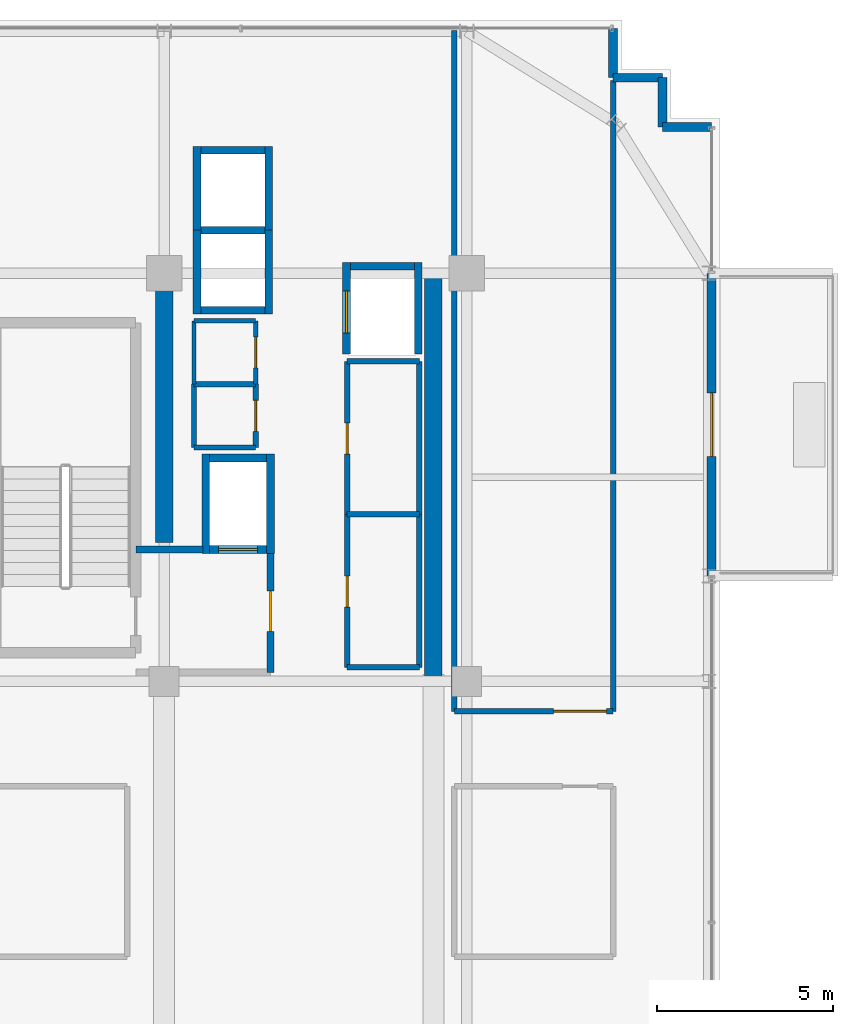
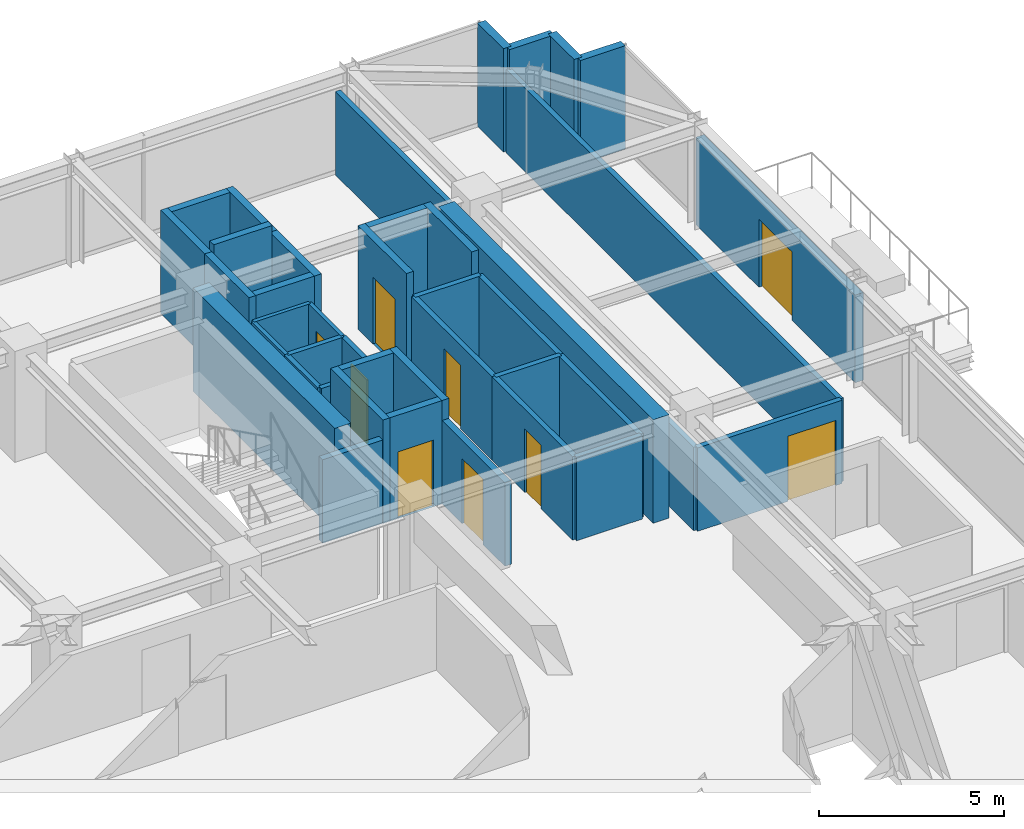
# One storey, part 32 of 36: 40 walls, 9 doors, 9 openings.
"""IFC4 building model written with IfcOpenShell, lengths in metres."""

from ifc_helpers import new_model, si_unit, direction, frame, frame_2d, origin, place, context, subcontext, project, spatial, rectangle, extrude, source, transform, mapped, material, layer, layer_set, type_object, element, fill, save


model = new_model("IFC4")

# Units and contexts
model_context = context("Model", 3, precision=1e-05, world=origin(), true_north=direction((0.0, 1.0)))
body_context = subcontext(model_context, "Body", "Model", "MODEL_VIEW")
ifc_project = project(units=[si_unit("LENGTHUNIT", "METRE"), si_unit("AREAUNIT", "SQUARE_METRE"), si_unit("VOLUMEUNIT", "CUBIC_METRE"), si_unit("PLANEANGLEUNIT", "RADIAN"), si_unit("MASSUNIT", "GRAM", prefix="KILO")], contexts=[model_context])

# Site, building, storey
site_placement = place(None, origin())
site = spatial("IfcSite", under=ifc_project, at=site_placement, CompositionType="ELEMENT")
building_placement = place(site_placement, origin())
building = spatial("IfcBuilding", under=site, at=building_placement, Name="Nahalor Promenade Grand Hotel", CompositionType="ELEMENT")
storey_placement = place(building_placement, frame((0.0, 0.0, 253.0)))
storey = spatial("IfcBuildingStorey", under=building, at=storey_placement, Name="L65", CompositionType="ELEMENT", Elevation=253.0)

# Walls
ifc_material_1 = material(Name="Concrete B-60 (C50/60)", Category="concrete")
ifc_layer_1 = layer(ifc_material_1, 0.5)
ifc_layer_set_1 = layer_set([ifc_layer_1], Name="Concrete B-60 (C50/60)")
wall_type_1 = type_object("IfcWallType", Name="Wall-CoreShear-500", PredefinedType="SHEAR", material=ifc_layer_set_1)
shared_shape_1 = source(origin(), body_context, "Body", "SweptSolid", [
    extrude(rectangle(XDim=7.64990234375, YDim=0.5, at=frame_2d((3.824951171875, 0.0))), origin(), (0.0, 0.0, 1.0), 3.409912109375),
])
wall_1_placement = place(storey_placement, frame((8.39990234375, 9.35009765625, 0.0), z_axis=(0.0, 0.0, 1.0), x_axis=(0.0, 1.0, 0.0)))
element("IfcWall", 1, at=wall_1_placement, inside=storey, type_object=wall_type_1, Name="CWALL-L65-NW", PredefinedType="SHEAR", context=body_context, shape_type="MappedRepresentation", body=[
    mapped(shared_shape_1, transform((0.0, 0.0, 0.0), scale=1.0)),
])
shared_shape_2 = source(origin(), body_context, "Body", "SweptSolid", [
    extrude(rectangle(XDim=11.60009765625, YDim=0.5, at=frame_2d((5.800048828125, 0.0))), origin(), (0.0, 0.0, 1.0), 3.409912109375),
])
wall_2_placement = place(storey_placement, frame((16.050048828125, 5.39990234375, 0.0), z_axis=(0.0, 0.0, 1.0), x_axis=(0.0, 1.0, 0.0)))
element("IfcWall", 2, at=wall_2_placement, inside=storey, type_object=wall_type_1, Name="CWALL-L65-NE", PredefinedType="SHEAR", context=body_context, shape_type="MappedRepresentation", body=[
    mapped(shared_shape_2, transform((0.0, 0.0, 0.0), scale=1.0)),
])
ifc_material_2 = material(Name="Concrete B-50 (C40/50)", Category="concrete")
ifc_layer_2 = layer(ifc_material_2, 0.219970703125)
ifc_layer_set_2 = layer_set([ifc_layer_2], Name="Concrete B-50 (C40/50)")
wall_type_2 = type_object("IfcWallType", Name="Wall-LiftShaft-220", PredefinedType="SHEAR", material=ifc_layer_set_2)
shared_shape_3 = source(origin(), body_context, "Body", "SweptSolid", [
    extrude(rectangle(XDim=1.820068359375, YDim=0.219970703125, at=frame_2d((0.91015625, 0.0))), origin(), (0.0, 0.0, 1.0), 3.409912109375),
])
for number, where, z_axis, x_axis, name in (
    (3, (9.43994140625, 15.949951171875, 0.0), (0.0, 0.0, 1.0), (1.0, 0.0, 0.0), "L65 Lift OB1 Hoistway Wall S"),
    (4, (9.43994140625, 20.5, 0.0), (0.0, 0.0, 1.0), (1.0, 0.0, 0.0), "L65 Lift OB2 Hoistway Wall N"),
    (5, (13.68994140625, 17.199951171875, 0.0), (0.0, 0.0, 1.0), (1.0, 0.0, 0.0), "L65 Lift SV1 Hoistway Wall N"),
):
    element("IfcWall", number, at=place(storey_placement, frame(where, z_axis=z_axis, x_axis=x_axis)), inside=storey, type_object=wall_type_2, Name=name, PredefinedType="SHEAR", context=body_context, shape_type="MappedRepresentation", body=[
        mapped(shared_shape_3, transform((0.0, 0.0, 0.0), scale=1.0)),
    ])
shared_shape_4 = source(origin(), body_context, "Body", "SweptSolid", [
    extrude(rectangle(XDim=1.820068359375, YDim=0.219970703125, at=frame_2d((0.91015625, 0.0))), origin(), (0.0, 0.0, 1.0), 3.699951171875),
])
wall_3_placement = place(storey_placement, frame((9.43994140625, 18.22509765625, 0.0), z_axis=(0.0, 0.0, 1.0), x_axis=(1.0, 0.0, 0.0)))
element("IfcWall", 6, at=wall_3_placement, inside=storey, type_object=wall_type_2, Name="L65 Lift OB1 Hoistway Wall N", PredefinedType="SHEAR", context=body_context, shape_type="MappedRepresentation", body=[
    mapped(shared_shape_4, transform((0.0, 0.0, 0.0), scale=1.0)),
])
shared_shape_5 = source(origin(), body_context, "Body", "SweptSolid", [
    extrude(rectangle(XDim=2.385009765625, YDim=0.219970703125, at=frame_2d((1.1923828125, 0.0))), origin(), (0.0, 0.0, 1.0), 3.409912109375),
])
for number, where, z_axis, x_axis, name in (
    (7, (9.330078125, 15.840087890625, 0.0), (0.0, 0.0, 1.0), (0.0, 1.0, 0.0), "L65 Lift OB1 Hoistway Wall W"),
    (8, (11.3701171875, 15.840087890625, 0.0), (0.0, 0.0, 1.0), (0.0, 1.0, 0.0), "L65 Lift OB1 Hoistway Wall E"),
    (9, (9.330078125, 18.22509765625, 0.0), (0.0, 0.0, 1.0), (0.0, 1.0, 0.0), "L65 Lift OB2 Hoistway Wall W"),
    (10, (11.3701171875, 18.22509765625, 0.0), (0.0, 0.0, 1.0), (0.0, 1.0, 0.0), "L65 Lift OB2 Hoistway Wall E"),
):
    element("IfcWall", number, at=place(storey_placement, frame(where, z_axis=z_axis, x_axis=x_axis)), inside=storey, type_object=wall_type_2, Name=name, PredefinedType="SHEAR", context=body_context, shape_type="MappedRepresentation", body=[
        mapped(shared_shape_5, transform((0.0, 0.0, 0.0), scale=1.0)),
    ])
shared_shape_6 = source(origin(), body_context, "Body", "SweptSolid", [
    extrude(rectangle(XDim=2.820068359375, YDim=0.219970703125, at=frame_2d((1.41015625, 0.0))), origin(), (0.0, 0.0, 1.0), 3.409912109375),
])
for number, where, z_axis, x_axis, name in (
    (11, (9.580078125, 9.0400390625, 0.0), (0.0, 0.0, 1.0), (0.0, 1.0, 0.0), "L65 Lift FL1 Hoistway Wall W"),
    (12, (11.419921875, 9.0400390625, 0.0), (0.0, 0.0, 1.0), (0.0, 1.0, 0.0), "L65 Lift FL1 Hoistway Wall E"),
):
    element("IfcWall", number, at=place(storey_placement, frame(where, z_axis=z_axis, x_axis=x_axis)), inside=storey, type_object=wall_type_2, Name=name, PredefinedType="SHEAR", context=body_context, shape_type="MappedRepresentation", body=[
        mapped(shared_shape_6, transform((0.0, 0.0, 0.0), scale=1.0)),
    ])

# Wall, opening, door
shared_shape_7 = source(origin(), body_context, "Body", "SweptSolid", [
    extrude(rectangle(XDim=1.6201171875, YDim=0.219970703125, at=frame_2d((0.81005859375, 0.0))), origin(), (0.0, 0.0, 1.0), 3.409912109375),
])
wall_4_placement = place(storey_placement, frame((9.68994140625, 9.14990234375, 0.0), z_axis=(0.0, 0.0, 1.0), x_axis=(1.0, 0.0, 0.0)))
wall_4 = element("IfcWall", 13, at=wall_4_placement, inside=storey, type_object=wall_type_2, Name="L65 Lift FL1 Hoistway Wall S", PredefinedType="SHEAR", context=body_context, shape_type="MappedRepresentation", body=[
    mapped(shared_shape_7, transform((0.0, 0.0, 0.0), scale=1.0)),
])
opening_1_placement = place(wall_4_placement, frame((0.260009765625, 0.0, 0.0)))
opening_1 = element("IfcOpeningElement", 14, at=opening_1_placement, cuts=wall_4, Name="Opening LD-02", PredefinedType="OPENING", context=body_context, shape_type="SweptSolid", body=[
    extrude(rectangle(XDim=1.10009765625, YDim=2.199951171875, at=frame_2d((0.550048828125, 1.10009765625))), frame((0.0, 0.119873046875, 0.0), z_axis=(0.0, -1.0, 0.0), x_axis=(1.0, 0.0, 0.0)), (0.0, 0.0, 1.0), 0.239990234375),
])
ifc_material_3 = material(Name="Steel S355JR", Category="steel")
door_type_1 = type_object("IfcDoorType", Name="Door-LiftFF-1100", OperationType="DOUBLE_DOOR_SLIDING", PredefinedType="DOOR", material=ifc_material_3)
shared_shape_8 = source(origin(), body_context, "Body", "SweptSolid", [
    extrude(rectangle(XDim=1.10009765625, YDim=2.199951171875, at=frame_2d((0.550048828125, 1.10009765625))), frame((0.0, 0.02490234375, 0.0), z_axis=(0.0, -1.0, 0.0), x_axis=(1.0, 0.0, 0.0)), (0.0, 0.0, 1.0), 0.050048828125),
])
door_1_placement = place(opening_1_placement, frame((1.10009765625, 0.0, 0.0), z_axis=(0.0, 0.0, 1.0), x_axis=(-1.0, 0.0, 0.0)))
door_1 = element("IfcDoor", 15, at=door_1_placement, inside=storey, type_object=door_type_1, Name="DR-LIFT-FL1-L65", OperationType="DOUBLE_DOOR_SLIDING", OverallHeight=2.199951171875, OverallWidth=1.10009765625, PredefinedType="DOOR", context=body_context, shape_type="MappedRepresentation", body=[
    mapped(shared_shape_8, transform((0.0, 0.0, 0.0), scale=1.0)),
])
fill(opening_1, door_1)

# Wall
wall_5_placement = place(storey_placement, frame((9.68994140625, 11.75, 0.0), z_axis=(0.0, 0.0, 1.0), x_axis=(1.0, 0.0, 0.0)))
element("IfcWall", 16, at=wall_5_placement, inside=storey, type_object=wall_type_2, Name="L65 Lift FL1 Hoistway Wall N", PredefinedType="SHEAR", context=body_context, shape_type="MappedRepresentation", body=[
    mapped(shared_shape_7, transform((0.0, 0.0, 0.0), scale=1.0)),
])

# Wall, opening, door
shared_shape_9 = source(origin(), body_context, "Body", "SweptSolid", [
    extrude(rectangle(XDim=2.610107421875, YDim=0.219970703125, at=frame_2d((1.30517578125, 0.0))), origin(), (0.0, 0.0, 1.0), 3.409912109375),
])
wall_6_placement = place(storey_placement, frame((13.580078125, 14.699951171875, 0.0), z_axis=(0.0, 0.0, 1.0), x_axis=(0.0, 1.0, 0.0)))
wall_6 = element("IfcWall", 17, at=wall_6_placement, inside=storey, type_object=wall_type_2, Name="L65 Lift SV1 Hoistway Wall W", PredefinedType="SHEAR", context=body_context, shape_type="MappedRepresentation", body=[
    mapped(shared_shape_9, transform((0.0, 0.0, 0.0), scale=1.0)),
])
opening_2_placement = place(wall_6_placement, frame((0.60009765625, 0.0, 0.0)))
opening_2 = element("IfcOpeningElement", 18, at=opening_2_placement, cuts=wall_6, Name="Opening LD-03", PredefinedType="OPENING", context=body_context, shape_type="SweptSolid", body=[
    extrude(rectangle(XDim=1.199951171875, YDim=2.199951171875, at=frame_2d((0.60009765625, 1.10009765625))), frame((0.0, 0.119873046875, 0.0), z_axis=(0.0, -1.0, 0.0), x_axis=(1.0, 0.0, 0.0)), (0.0, 0.0, 1.0), 0.239990234375),
])
door_type_2 = type_object("IfcDoorType", Name="Door-LiftService-1200", OperationType="DOUBLE_DOOR_SLIDING", PredefinedType="DOOR", material=ifc_material_3)
shared_shape_10 = source(origin(), body_context, "Body", "SweptSolid", [
    extrude(rectangle(XDim=1.199951171875, YDim=2.199951171875, at=frame_2d((0.60009765625, 1.10009765625))), frame((0.0, 0.02490234375, 0.0), z_axis=(0.0, -1.0, 0.0), x_axis=(1.0, 0.0, 0.0)), (0.0, 0.0, 1.0), 0.050048828125),
])
door_2_placement = place(opening_2_placement, origin())
door_2 = element("IfcDoor", 19, at=door_2_placement, inside=storey, type_object=door_type_2, Name="DR-LIFT-SV1-L65", OperationType="DOUBLE_DOOR_SLIDING", OverallHeight=2.199951171875, OverallWidth=1.199951171875, PredefinedType="DOOR", context=body_context, shape_type="MappedRepresentation", body=[
    mapped(shared_shape_10, transform((0.0, 0.0, 0.0), scale=1.0)),
])
fill(opening_2, door_2)

# Walls
wall_7_placement = place(storey_placement, frame((15.6201171875, 14.699951171875, 0.0), z_axis=(0.0, 0.0, 1.0), x_axis=(0.0, 1.0, 0.0)))
element("IfcWall", 20, at=wall_7_placement, inside=storey, type_object=wall_type_2, Name="L65 Lift SV1 Hoistway Wall E", PredefinedType="SHEAR", context=body_context, shape_type="MappedRepresentation", body=[
    mapped(shared_shape_9, transform((0.0, 0.0, 0.0), scale=1.0)),
])
ifc_material_4 = material(Name="Concrete B-40 (C32/40)", Category="concrete")
ifc_layer_3 = layer(ifc_material_4, 0.25)
ifc_layer_set_3 = layer_set([ifc_layer_3], Name="Concrete B-40 (C32/40)")
wall_type_3 = type_object("IfcWallType", Name="Wall-BronzePier-250", PredefinedType="STANDARD", material=ifc_layer_set_3)
shared_shape_11 = source(origin(), body_context, "Body", "SweptSolid", [
    extrude(rectangle(XDim=1.39990234375, YDim=0.25, at=frame_2d((0.699951171875, 0.0))), origin(), (0.0, 0.0, 1.0), 3.409912109375),
])
for number, where, z_axis, x_axis, name in (
    (21, (22.56005859375, 21.159912109375, 0.0), (0.0, 0.0, 1.0), (1.0, 0.0, 0.0), "W-L65-SR-05"),
    (22, (21.159912109375, 22.56005859375, 0.0), (0.0, 0.0, 1.0), (0.0, 1.0, 0.0), "W-L65-SR-08"),
):
    element("IfcWall", number, at=place(storey_placement, frame(where, z_axis=z_axis, x_axis=x_axis)), inside=storey, type_object=wall_type_3, Name=name, PredefinedType="STANDARD", context=body_context, shape_type="MappedRepresentation", body=[
        mapped(shared_shape_11, transform((0.0, 0.0, 0.0), scale=1.0)),
    ])
shared_shape_12 = source(origin(), body_context, "Body", "SweptSolid", [
    extrude(rectangle(XDim=1.400146484375, YDim=0.25, at=frame_2d((0.7001953125, 0.0))), origin(), (0.0, 0.0, 1.0), 3.409912109375),
])
for number, where, z_axis, x_axis, name in (
    (23, (22.56005859375, 21.159912109375, 0.0), (0.0, 0.0, 1.0), (0.0, 1.0, 0.0), "W-L65-SR-06"),
    (24, (21.159912109375, 22.56005859375, 0.0), (0.0, 0.0, 1.0), (1.0, 0.0, 0.0), "W-L65-SR-07"),
):
    element("IfcWall", number, at=place(storey_placement, frame(where, z_axis=z_axis, x_axis=x_axis)), inside=storey, type_object=wall_type_3, Name=name, PredefinedType="STANDARD", context=body_context, shape_type="MappedRepresentation", body=[
        mapped(shared_shape_12, transform((0.0, 0.0, 0.0), scale=1.0)),
    ])

# Wall, opening, door
ifc_layer_4 = layer(ifc_material_4, 0.260009765625)
ifc_layer_set_4 = layer_set([ifc_layer_4], Name="Concrete B-40 (C32/40)")
wall_type_4 = type_object("IfcWallType", Name="Wall-BalconyWall-260", PredefinedType="STANDARD", material=ifc_layer_set_4)
shared_shape_13 = source(origin(), body_context, "Body", "SweptSolid", [
    extrude(rectangle(XDim=8.60009765625, YDim=0.260009765625, at=frame_2d((4.300048828125, 0.0))), origin(), (0.0, 0.0, 1.0), 2.889892578125),
])
wall_8_placement = place(storey_placement, frame((23.9599609375, 8.39990234375, 0.0), z_axis=(0.0, 0.0, 1.0), x_axis=(0.0, 1.0, 0.0)))
wall_8 = element("IfcWall", 25, at=wall_8_placement, inside=storey, type_object=wall_type_4, Name="W-L65-BALC-E-2", PredefinedType="STANDARD", context=body_context, shape_type="MappedRepresentation", body=[
    mapped(shared_shape_13, transform((0.0, 0.0, 0.0), scale=1.0)),
])
opening_3_placement = place(wall_8_placement, frame((3.39990234375, 0.0, 0.0)))
opening_3 = element("IfcOpeningElement", 26, at=opening_3_placement, cuts=wall_8, Name="Opening D-BC1", PredefinedType="OPENING", context=body_context, shape_type="SweptSolid", body=[
    extrude(rectangle(XDim=1.800048828125, YDim=2.25, at=frame_2d((0.89990234375, 1.125))), frame((0.0, 0.139892578125, 0.0), z_axis=(0.0, -1.0, 0.0), x_axis=(1.0, 0.0, 0.0)), (0.0, 0.0, 1.0), 0.280029296875),
])
ifc_material_5 = material(Name="Anodised Bronze Aluminium EN AW-6063 T6", Category="aluminium")
door_type_3 = type_object("IfcDoorType", Name="Door-BalconySlide-1800", OperationType="DOUBLE_DOOR_SLIDING", PredefinedType="DOOR", material=ifc_material_5)
shared_shape_14 = source(origin(), body_context, "Body", "SweptSolid", [
    extrude(rectangle(XDim=1.800048828125, YDim=2.25, at=frame_2d((0.89990234375, 1.125))), frame((0.0, 0.02490234375, 0.0), z_axis=(0.0, -1.0, 0.0), x_axis=(1.0, 0.0, 0.0)), (0.0, 0.0, 1.0), 0.050048828125),
])
door_3_placement = place(opening_3_placement, frame((1.800048828125, 0.0, 0.0), z_axis=(0.0, 0.0, 1.0), x_axis=(-1.0, 0.0, 0.0)))
door_3 = element("IfcDoor", 27, at=door_3_placement, inside=storey, type_object=door_type_3, Name="DR-L65-BALC-E-2", OperationType="DOUBLE_DOOR_SLIDING", OverallHeight=2.25, OverallWidth=1.800048828125, PredefinedType="DOOR", context=body_context, shape_type="MappedRepresentation", body=[
    mapped(shared_shape_14, transform((0.0, 0.0, 0.0), scale=1.0)),
])
fill(opening_3, door_3)

# Wall
ifc_layer_5 = layer(ifc_material_4, 0.199951171875)
ifc_layer_set_5 = layer_set([ifc_layer_5], Name="Concrete B-40 (C32/40)")
wall_type_5 = type_object("IfcWallType", Name="Wall-PartFire-200", PredefinedType="PARTITIONING", material=ifc_layer_set_5)
shared_shape_15 = source(origin(), body_context, "Body", "SweptSolid", [
    extrude(rectangle(XDim=1.89990234375, YDim=0.199951171875, at=frame_2d((0.949951171875, 0.0))), origin(), (0.0, 0.0, 1.0), 2.75),
])
wall_9_placement = place(storey_placement, frame((7.60009765625, 9.14990234375, 0.0), z_axis=(0.0, 0.0, 1.0), x_axis=(1.0, 0.0, 0.0)))
element("IfcWall", 28, at=wall_9_placement, inside=storey, type_object=wall_type_5, Name="W-L65-FF1-N", PredefinedType="PARTITIONING", context=body_context, shape_type="MappedRepresentation", body=[
    mapped(shared_shape_15, transform((0.0, 0.0, 0.0), scale=1.0)),
])

# Wall, opening, door
shared_shape_16 = source(origin(), body_context, "Body", "SweptSolid", [
    extrude(rectangle(XDim=3.5, YDim=0.199951171875, at=frame_2d((1.75, 0.0))), origin(), (0.0, 0.0, 1.0), 2.75),
])
wall_10_placement = place(storey_placement, frame((11.419921875, 5.64990234375, 0.0), z_axis=(0.0, 0.0, 1.0), x_axis=(0.0, 1.0, 0.0)))
wall_10 = element("IfcWall", 29, at=wall_10_placement, inside=storey, type_object=wall_type_5, Name="W-L65-FF1-E", PredefinedType="PARTITIONING", context=body_context, shape_type="MappedRepresentation", body=[
    mapped(shared_shape_16, transform((0.0, 0.0, 0.0), scale=1.0)),
])
opening_4_placement = place(wall_10_placement, frame((1.175048828125, 0.0, 0.0)))
opening_4 = element("IfcOpeningElement", 30, at=opening_4_placement, cuts=wall_10, Name="Opening D-FF1", PredefinedType="OPENING", context=body_context, shape_type="SweptSolid", body=[
    extrude(rectangle(XDim=1.14990234375, YDim=2.14990234375, at=frame_2d((0.574951171875, 1.074951171875))), frame((0.0, 0.10986328125, 0.0), z_axis=(0.0, -1.0, 0.0), x_axis=(1.0, 0.0, 0.0)), (0.0, 0.0, 1.0), 0.219970703125),
])
door_type_4 = type_object("IfcDoorType", Name="Door-FFLobby-1150", OperationType="NOTDEFINED", PredefinedType="DOOR", material=ifc_material_3)
shared_shape_17 = source(origin(), body_context, "Body", "SweptSolid", [
    extrude(rectangle(XDim=1.14990234375, YDim=2.14990234375, at=frame_2d((0.574951171875, 1.074951171875))), frame((0.0, 0.02490234375, 0.0), z_axis=(0.0, -1.0, 0.0), x_axis=(1.0, 0.0, 0.0)), (0.0, 0.0, 1.0), 0.050048828125),
])
door_4_placement = place(opening_4_placement, frame((1.14990234375, 0.0, 0.0), z_axis=(0.0, 0.0, 1.0), x_axis=(-1.0, 0.0, 0.0)))
door_4 = element("IfcDoor", 31, at=door_4_placement, inside=storey, type_object=door_type_4, Name="DR-L65-FFL1", OperationType="SINGLE_SWING_LEFT", OverallHeight=2.14990234375, OverallWidth=1.14990234375, PredefinedType="DOOR", context=body_context, shape_type="MappedRepresentation", body=[
    mapped(shared_shape_17, transform((0.0, 0.0, 0.0), scale=1.0)),
])
fill(opening_4, door_4)

# Walls
ifc_material_6 = material(Name="Acoustic Mineral Gypsum", Category="gypsum")
ifc_layer_6 = layer(ifc_material_6, 0.14990234375)
ifc_layer_set_6 = layer_set([ifc_layer_6], Name="Acoustic Mineral Gypsum")
wall_type_6 = type_object("IfcWallType", Name="Wall-PartService-150", PredefinedType="PARTITIONING", material=ifc_layer_set_6)
shared_shape_18 = source(origin(), body_context, "Body", "SweptSolid", [
    extrude(rectangle(XDim=1.75, YDim=0.14990234375, at=frame_2d((0.875, 0.0))), origin(), (0.0, 0.0, 1.0), 2.75),
])
for number, where, z_axis, x_axis, name in (
    (32, (9.25, 12.050048828125, 0.0), (0.0, 0.0, 1.0), (1.0, 0.0, 0.0), "W-L65-CK2A-S"),
    (33, (9.25, 13.85009765625, 0.0), (0.0, 0.0, 1.0), (1.0, 0.0, 0.0), "W-L65-CK2A-N"),
):
    element("IfcWall", number, at=place(storey_placement, frame(where, z_axis=z_axis, x_axis=x_axis)), inside=storey, type_object=wall_type_6, Name=name, PredefinedType="PARTITIONING", context=body_context, shape_type="MappedRepresentation", body=[
        mapped(shared_shape_18, transform((0.0, 0.0, 0.0), scale=1.0)),
    ])
ifc_layer_7 = layer(ifc_material_6, 0.159912109375)
ifc_layer_set_7 = layer_set([ifc_layer_7], Name="Acoustic Mineral Gypsum")
wall_type_7 = type_object("IfcWallType", Name="Wall-PartCorridor-160", PredefinedType="PARTITIONING", material=ifc_layer_set_7)
shared_shape_19 = source(origin(), body_context, "Body", "SweptSolid", [
    extrude(rectangle(XDim=2.0498046875, YDim=0.159912109375, at=frame_2d((1.02490234375, 0.0))), origin(), (0.0, 0.0, 1.0), 2.75),
])
for number, where, z_axis, x_axis, name in (
    (34, (13.60009765625, 5.800048828125, 0.0), (0.0, 0.0, 1.0), (1.0, 0.0, 0.0), "W-L65-FRB1A-S"),
    (35, (13.60009765625, 10.14990234375, 0.0), (0.0, 0.0, 1.0), (1.0, 0.0, 0.0), "W-L65-FRB1A-N"),
    (36, (13.60009765625, 14.5, 0.0), (0.0, 0.0, 1.0), (1.0, 0.0, 0.0), "W-L65-FRB1B-N"),
):
    element("IfcWall", number, at=place(storey_placement, frame(where, z_axis=z_axis, x_axis=x_axis)), inside=storey, type_object=wall_type_7, Name=name, PredefinedType="PARTITIONING", context=body_context, shape_type="MappedRepresentation", body=[
        mapped(shared_shape_19, transform((0.0, 0.0, 0.0), scale=1.0)),
    ])
shared_shape_20 = source(origin(), body_context, "Body", "SweptSolid", [
    extrude(rectangle(XDim=19.349853515625, YDim=0.159912109375, at=frame_2d((9.6748046875, 0.0))), origin(), (0.0, 0.0, 1.0), 2.75),
])
wall_11_placement = place(storey_placement, frame((16.64990234375, 4.550048828125, 0.0), z_axis=(0.0, 0.0, 1.0), x_axis=(0.0, 1.0, 0.0)))
element("IfcWall", 37, at=wall_11_placement, inside=storey, type_object=wall_type_7, Name="W-L65-ENE-W", PredefinedType="PARTITIONING", context=body_context, shape_type="MappedRepresentation", body=[
    mapped(shared_shape_20, transform((0.0, 0.0, 0.0), scale=1.0)),
])
shared_shape_21 = source(origin(), body_context, "Body", "SweptSolid", [
    extrude(rectangle(XDim=17.929931640625, YDim=0.159912109375, at=frame_2d((8.96484375, 0.0))), origin(), (0.0, 0.0, 1.0), 2.75),
])
wall_12_placement = place(storey_placement, frame((21.159912109375, 4.550048828125, 0.0), z_axis=(0.0, 0.0, 1.0), x_axis=(0.0, 1.0, 0.0)))
element("IfcWall", 38, at=wall_12_placement, inside=storey, type_object=wall_type_7, Name="W-L65-ENE-E", PredefinedType="PARTITIONING", context=body_context, shape_type="MappedRepresentation", body=[
    mapped(shared_shape_21, transform((0.0, 0.0, 0.0), scale=1.0)),
])
shared_shape_22 = source(origin(), body_context, "Body", "SweptSolid", [
    extrude(rectangle(XDim=1.800048828125, YDim=0.14990234375, at=frame_2d((0.89990234375, 0.0))), origin(), (0.0, 0.0, 1.0), 2.75),
])
wall_13_placement = place(storey_placement, frame((9.25, 12.050048828125, 0.0), z_axis=(0.0, 0.0, 1.0), x_axis=(0.0, 1.0, 0.0)))
element("IfcWall", 39, at=wall_13_placement, inside=storey, type_object=wall_type_6, Name="W-L65-CK2A-W", PredefinedType="PARTITIONING", context=body_context, shape_type="MappedRepresentation", body=[
    mapped(shared_shape_22, transform((0.0, 0.0, 0.0), scale=1.0)),
])

# Wall, opening, door
wall_14_placement = place(storey_placement, frame((11.0, 12.050048828125, 0.0), z_axis=(0.0, 0.0, 1.0), x_axis=(0.0, 1.0, 0.0)))
wall_14 = element("IfcWall", 40, at=wall_14_placement, inside=storey, type_object=wall_type_6, Name="W-L65-CK2A-E", PredefinedType="PARTITIONING", context=body_context, shape_type="MappedRepresentation", body=[
    mapped(shared_shape_22, transform((0.0, 0.0, 0.0), scale=1.0)),
])
opening_5_placement = place(wall_14_placement, frame((0.4599609375, 0.0, 0.0)))
opening_5 = element("IfcOpeningElement", 41, at=opening_5_placement, cuts=wall_14, Name="Opening D-03", PredefinedType="OPENING", context=body_context, shape_type="SweptSolid", body=[
    extrude(rectangle(XDim=0.8798828125, YDim=2.10009765625, at=frame_2d((0.43994140625, 1.050048828125))), frame((0.0, 0.0849609375, 0.0), z_axis=(0.0, -1.0, 0.0), x_axis=(1.0, 0.0, 0.0)), (0.0, 0.0, 1.0), 0.169921875),
])
ifc_material_7 = material(Name="Fire-Rated Timber Composite", Category="wood")
door_type_5 = type_object("IfcDoorType", Name="Door-BathSwing-880", OperationType="NOTDEFINED", PredefinedType="DOOR", material=ifc_material_7)
shared_shape_23 = source(origin(), body_context, "Body", "SweptSolid", [
    extrude(rectangle(XDim=0.8798828125, YDim=2.10009765625, at=frame_2d((0.43994140625, 1.050048828125))), frame((0.0, 0.02490234375, 0.0), z_axis=(0.0, -1.0, 0.0), x_axis=(1.0, 0.0, 0.0)), (0.0, 0.0, 1.0), 0.050048828125),
])
door_5_placement = place(opening_5_placement, origin())
door_5 = element("IfcDoor", 42, at=door_5_placement, inside=storey, type_object=door_type_5, Name="DR-L65-CK2A", OperationType="SINGLE_SWING_LEFT", OverallHeight=2.10009765625, OverallWidth=0.8798828125, PredefinedType="DOOR", context=body_context, shape_type="MappedRepresentation", body=[
    mapped(shared_shape_23, transform((0.0, 0.0, 0.0), scale=1.0)),
])
fill(opening_5, door_5)

# Walls
ifc_layer_8 = layer(ifc_material_6, 0.1201171875)
ifc_layer_set_8 = layer_set([ifc_layer_8], Name="Acoustic Mineral Gypsum")
wall_type_8 = type_object("IfcWallType", Name="Wall-PartBath-120", PredefinedType="PARTITIONING", material=ifc_layer_set_8)
shared_shape_24 = source(origin(), body_context, "Body", "SweptSolid", [
    extrude(rectangle(XDim=1.75, YDim=0.1201171875, at=frame_2d((0.875, 0.0))), origin(), (0.0, 0.0, 1.0), 2.75),
])
wall_15_placement = place(storey_placement, frame((9.25, 15.64990234375, 0.0), z_axis=(0.0, 0.0, 1.0), x_axis=(1.0, 0.0, 0.0)))
element("IfcWall", 43, at=wall_15_placement, inside=storey, type_object=wall_type_8, Name="W-L65-CK2B-N", PredefinedType="PARTITIONING", context=body_context, shape_type="MappedRepresentation", body=[
    mapped(shared_shape_24, transform((0.0, 0.0, 0.0), scale=1.0)),
])
shared_shape_25 = source(origin(), body_context, "Body", "SweptSolid", [
    extrude(rectangle(XDim=1.7998046875, YDim=0.1201171875, at=frame_2d((0.89990234375, 0.0))), origin(), (0.0, 0.0, 1.0), 2.75),
])
wall_16_placement = place(storey_placement, frame((9.25, 13.85009765625, 0.0), z_axis=(0.0, 0.0, 1.0), x_axis=(0.0, 1.0, 0.0)))
element("IfcWall", 44, at=wall_16_placement, inside=storey, type_object=wall_type_8, Name="W-L65-CK2B-W", PredefinedType="PARTITIONING", context=body_context, shape_type="MappedRepresentation", body=[
    mapped(shared_shape_25, transform((0.0, 0.0, 0.0), scale=1.0)),
])

# Wall, opening, door
wall_17_placement = place(storey_placement, frame((11.0, 13.85009765625, 0.0), z_axis=(0.0, 0.0, 1.0), x_axis=(0.0, 1.0, 0.0)))
wall_17 = element("IfcWall", 45, at=wall_17_placement, inside=storey, type_object=wall_type_8, Name="W-L65-CK2B-E", PredefinedType="PARTITIONING", context=body_context, shape_type="MappedRepresentation", body=[
    mapped(shared_shape_25, transform((0.0, 0.0, 0.0), scale=1.0)),
])
opening_6_placement = place(wall_17_placement, frame((0.4599609375, 0.0, 0.0)))
opening_6 = element("IfcOpeningElement", 46, at=opening_6_placement, cuts=wall_17, Name="Opening D-03", PredefinedType="OPENING", context=body_context, shape_type="SweptSolid", body=[
    extrude(rectangle(XDim=0.8798828125, YDim=2.10009765625, at=frame_2d((0.43994140625, 1.050048828125))), frame((0.0, 0.070068359375, 0.0), z_axis=(0.0, -1.0, 0.0), x_axis=(1.0, 0.0, 0.0)), (0.0, 0.0, 1.0), 0.14013671875),
])
door_6_placement = place(opening_6_placement, origin())
door_6 = element("IfcDoor", 47, at=door_6_placement, inside=storey, type_object=door_type_5, Name="DR-L65-CK2B", OperationType="SINGLE_SWING_RIGHT", OverallHeight=2.10009765625, OverallWidth=0.8798828125, PredefinedType="DOOR", context=body_context, shape_type="MappedRepresentation", body=[
    mapped(shared_shape_23, transform((0.0, 0.0, 0.0), scale=1.0)),
])
fill(opening_6, door_6)

shared_shape_26 = source(origin(), body_context, "Body", "SweptSolid", [
    extrude(rectangle(XDim=4.349853515625, YDim=0.159912109375, at=frame_2d((2.1748046875, 0.0))), origin(), (0.0, 0.0, 1.0), 2.75),
])
wall_18_placement = place(storey_placement, frame((13.60009765625, 5.800048828125, 0.0), z_axis=(0.0, 0.0, 1.0), x_axis=(0.0, 1.0, 0.0)))
wall_18 = element("IfcWall", 48, at=wall_18_placement, inside=storey, type_object=wall_type_7, Name="W-L65-FRB1A-W", PredefinedType="PARTITIONING", context=body_context, shape_type="MappedRepresentation", body=[
    mapped(shared_shape_26, transform((0.0, 0.0, 0.0), scale=1.0)),
])
opening_7_placement = place(wall_18_placement, frame((1.7099609375, 0.0, 0.0)))
opening_7 = element("IfcOpeningElement", 49, at=opening_7_placement, cuts=wall_18, Name="Opening D-03", PredefinedType="OPENING", context=body_context, shape_type="SweptSolid", body=[
    extrude(rectangle(XDim=0.8798828125, YDim=2.10009765625, at=frame_2d((0.43994140625, 1.050048828125))), frame((0.0, 0.08984375, 0.0), z_axis=(0.0, -1.0, 0.0), x_axis=(1.0, 0.0, 0.0)), (0.0, 0.0, 1.0), 0.179931640625),
])
door_7_placement = place(opening_7_placement, frame((0.8798828125, 0.0, 0.0), z_axis=(0.0, 0.0, 1.0), x_axis=(-1.0, 0.0, 0.0)))
door_7 = element("IfcDoor", 50, at=door_7_placement, inside=storey, type_object=door_type_5, Name="DR-L65-FRB1A", OperationType="SINGLE_SWING_LEFT", OverallHeight=2.10009765625, OverallWidth=0.8798828125, PredefinedType="DOOR", context=body_context, shape_type="MappedRepresentation", body=[
    mapped(shared_shape_23, transform((0.0, 0.0, 0.0), scale=1.0)),
])
fill(opening_7, door_7)

# Wall
wall_19_placement = place(storey_placement, frame((15.64990234375, 5.800048828125, 0.0), z_axis=(0.0, 0.0, 1.0), x_axis=(0.0, 1.0, 0.0)))
element("IfcWall", 51, at=wall_19_placement, inside=storey, type_object=wall_type_7, Name="W-L65-FRB1A-E", PredefinedType="PARTITIONING", context=body_context, shape_type="MappedRepresentation", body=[
    mapped(shared_shape_26, transform((0.0, 0.0, 0.0), scale=1.0)),
])

# Wall, opening, door
shared_shape_27 = source(origin(), body_context, "Body", "SweptSolid", [
    extrude(rectangle(XDim=4.35009765625, YDim=0.159912109375, at=frame_2d((2.175048828125, 0.0))), origin(), (0.0, 0.0, 1.0), 2.75),
])
wall_20_placement = place(storey_placement, frame((13.60009765625, 10.14990234375, 0.0), z_axis=(0.0, 0.0, 1.0), x_axis=(0.0, 1.0, 0.0)))
wall_20 = element("IfcWall", 52, at=wall_20_placement, inside=storey, type_object=wall_type_7, Name="W-L65-FRB1B-W", PredefinedType="PARTITIONING", context=body_context, shape_type="MappedRepresentation", body=[
    mapped(shared_shape_27, transform((0.0, 0.0, 0.0), scale=1.0)),
])
opening_8_placement = place(wall_20_placement, frame((1.7099609375, 0.0, 0.0)))
opening_8 = element("IfcOpeningElement", 53, at=opening_8_placement, cuts=wall_20, Name="Opening D-03", PredefinedType="OPENING", context=body_context, shape_type="SweptSolid", body=[
    extrude(rectangle(XDim=0.8798828125, YDim=2.10009765625, at=frame_2d((0.43994140625, 1.050048828125))), frame((0.0, 0.08984375, 0.0), z_axis=(0.0, -1.0, 0.0), x_axis=(1.0, 0.0, 0.0)), (0.0, 0.0, 1.0), 0.179931640625),
])
door_8_placement = place(opening_8_placement, frame((0.8798828125, 0.0, 0.0), z_axis=(0.0, 0.0, 1.0), x_axis=(-1.0, 0.0, 0.0)))
door_8 = element("IfcDoor", 54, at=door_8_placement, inside=storey, type_object=door_type_5, Name="DR-L65-FRB1B", OperationType="SINGLE_SWING_RIGHT", OverallHeight=2.10009765625, OverallWidth=0.8798828125, PredefinedType="DOOR", context=body_context, shape_type="MappedRepresentation", body=[
    mapped(shared_shape_23, transform((0.0, 0.0, 0.0), scale=1.0)),
])
fill(opening_8, door_8)

# Wall
wall_21_placement = place(storey_placement, frame((15.64990234375, 10.14990234375, 0.0), z_axis=(0.0, 0.0, 1.0), x_axis=(0.0, 1.0, 0.0)))
element("IfcWall", 55, at=wall_21_placement, inside=storey, type_object=wall_type_7, Name="W-L65-FRB1B-E", PredefinedType="PARTITIONING", context=body_context, shape_type="MappedRepresentation", body=[
    mapped(shared_shape_27, transform((0.0, 0.0, 0.0), scale=1.0)),
])

# Wall, opening, door
shared_shape_28 = source(origin(), body_context, "Body", "SweptSolid", [
    extrude(rectangle(XDim=4.510009765625, YDim=0.159912109375, at=frame_2d((2.2548828125, 0.0))), origin(), (0.0, 0.0, 1.0), 2.75),
])
wall_22_placement = place(storey_placement, frame((16.64990234375, 4.550048828125, 0.0), z_axis=(0.0, 0.0, 1.0), x_axis=(1.0, 0.0, 0.0)))
wall_22 = element("IfcWall", 56, at=wall_22_placement, inside=storey, type_object=wall_type_7, Name="W-L65-ENE-S", PredefinedType="PARTITIONING", context=body_context, shape_type="MappedRepresentation", body=[
    mapped(shared_shape_28, transform((0.0, 0.0, 0.0), scale=1.0)),
])
opening_9_placement = place(wall_22_placement, frame((2.820068359375, 0.0, 0.0)))
opening_9 = element("IfcOpeningElement", 57, at=opening_9_placement, cuts=wall_22, Name="Opening D-02", PredefinedType="OPENING", context=body_context, shape_type="SweptSolid", body=[
    extrude(rectangle(XDim=1.5, YDim=2.14990234375, at=frame_2d((0.75, 1.074951171875))), frame((0.0, 0.08984375, 0.0), z_axis=(0.0, -1.0, 0.0), x_axis=(1.0, 0.0, 0.0)), (0.0, 0.0, 1.0), 0.179931640625),
])
door_type_6 = type_object("IfcDoorType", Name="Door-SuiteDouble-1500", OperationType="DOUBLE_DOOR_SINGLE_SWING", PredefinedType="DOOR", material=ifc_material_7)
shared_shape_29 = source(origin(), body_context, "Body", "SweptSolid", [
    extrude(rectangle(XDim=1.5, YDim=2.14990234375, at=frame_2d((0.75, 1.074951171875))), frame((0.0, 0.02490234375, 0.0), z_axis=(0.0, -1.0, 0.0), x_axis=(1.0, 0.0, 0.0)), (0.0, 0.0, 1.0), 0.050048828125),
])
door_9_placement = place(opening_9_placement, origin())
door_9 = element("IfcDoor", 58, at=door_9_placement, inside=storey, type_object=door_type_6, Name="DR-L65-ENE", OperationType="DOUBLE_DOOR_SINGLE_SWING", OverallHeight=2.14990234375, OverallWidth=1.5, PredefinedType="DOOR", context=body_context, shape_type="MappedRepresentation", body=[
    mapped(shared_shape_29, transform((0.0, 0.0, 0.0), scale=1.0)),
])
fill(opening_9, door_9)

save(model, "model.ifc")
